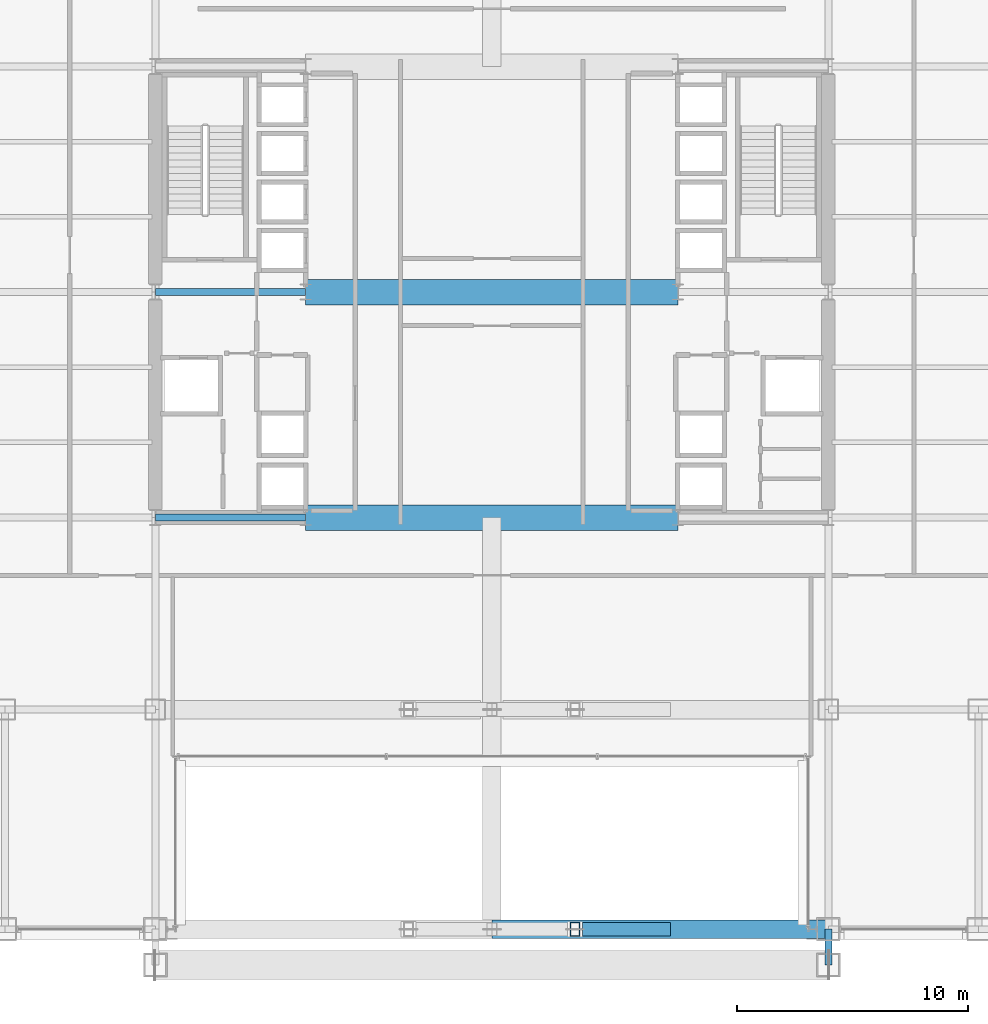
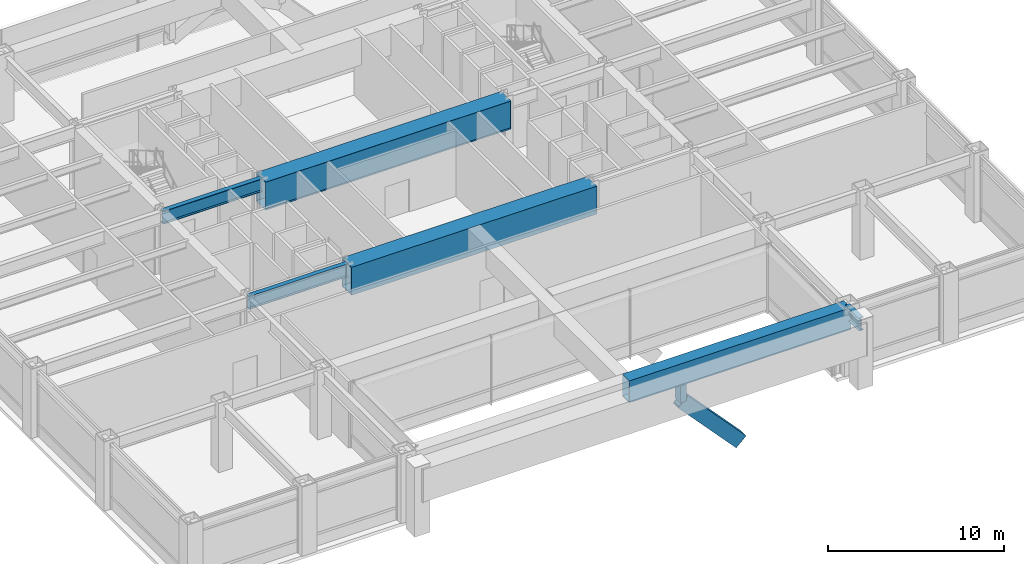
# One storey, part 7 of 37: 6 beams, 2 members.
"""IFC4 building model written with IfcOpenShell, lengths in metres."""

from ifc_helpers import new_model, si_unit, direction, frame, origin, origin_2d, place, context, subcontext, project, spatial, hollow_rectangle, i_section, extrude, material, material_profile, profile_set, type_object, element, save


model = new_model("IFC4")

# Units and contexts
model_context = context("Model", 3, precision=1e-05, world=origin(), true_north=direction((0.0, 1.0)))
body_context = subcontext(model_context, "Body", "Model", "MODEL_VIEW")
ifc_project = project(units=[si_unit("LENGTHUNIT", "METRE"), si_unit("AREAUNIT", "SQUARE_METRE"), si_unit("VOLUMEUNIT", "CUBIC_METRE"), si_unit("PLANEANGLEUNIT", "RADIAN"), si_unit("MASSUNIT", "GRAM", prefix="KILO")], contexts=[model_context])

# Site, building, storey
site_placement = place(None, origin())
site = spatial("IfcSite", under=ifc_project, at=site_placement, CompositionType="ELEMENT")
building_placement = place(site_placement, origin())
building = spatial("IfcBuilding", under=site, at=building_placement, Name="Brelmoor Portico Tower", CompositionType="ELEMENT")
storey_placement = place(building_placement, frame((0.0, 0.0, 14.39990234375)))
storey = spatial("IfcBuildingStorey", under=building, at=storey_placement, Name="L03", CompositionType="ELEMENT", Elevation=14.39990234375)

# Beams
ifc_material_1 = material(Name="Steel Q355B", Category="steel")
ifc_material_profile_1 = material_profile(ifc_material_1, i_section(OverallWidth=0.300048828125, OverallDepth=0.89990234375, WebThickness=0.01611328125, FlangeThickness=0.028076171875, at=origin_2d()), Name="HN 900x300x16x28")
ifc_profile_set_1 = profile_set([ifc_material_profile_1], Name="Steel Q355B")
beam_type_1 = type_object("IfcBeamType", Name="BM-PG-900", PredefinedType="BEAM", material=ifc_profile_set_1)
beam_1_placement = place(storey_placement, frame((14.550048828125, -29.10009765625, 4.130126953125), z_axis=(0.0, 1.0, 0.0), x_axis=(-1.0, 0.0, 0.0)))
element("IfcBeam", 1, at=beam_1_placement, inside=storey, type_object=beam_type_1, Name="L03 Primary Floor Girder PG-11", PredefinedType="BEAM", context=body_context, shape_type="SweptSolid", body=[
    extrude(i_section(OverallWidth=0.300048828125, OverallDepth=0.89990234375, WebThickness=0.01611328125, FlangeThickness=0.028076171875, at=origin_2d()), origin(), (0.0, 0.0, 1.0), 1.550048828125),
])
for number, where, z_axis, x_axis, name in (
    (2, (-14.550048828125, -9.75, 4.130126953125), (1.0, 0.0, 0.0), (0.0, 1.0, 0.0), "L03 Primary Floor Girder PG-26"),
    (3, (-14.550048828125, 0.0, 4.130126953125), (1.0, 0.0, 0.0), (0.0, 1.0, 0.0), "L03 Primary Floor Girder PG-31"),
):
    element("IfcBeam", number, at=place(storey_placement, frame(where, z_axis=z_axis, x_axis=x_axis)), inside=storey, type_object=beam_type_1, Name=name, PredefinedType="BEAM", context=body_context, shape_type="SweptSolid", body=[
        extrude(i_section(OverallWidth=0.300048828125, OverallDepth=0.89990234375, WebThickness=0.01611328125, FlangeThickness=0.028076171875, at=origin_2d()), origin(), (0.0, 0.0, 1.0), 6.5),
    ])
ifc_material_2 = material(Name="Steel Q420B", Category="steel")
ifc_material_profile_2 = material_profile(ifc_material_2, hollow_rectangle(XDim=1.10009765625, YDim=1.949951171875, WallThickness=0.054931640625, at=origin_2d()), Name="BOX 1100x1950x55")
ifc_profile_set_2 = profile_set([ifc_material_profile_2], Name="Steel Q420B")
beam_type_2 = type_object("IfcBeamType", Name="BM-TG-ARCH", PredefinedType="BEAM", material=ifc_profile_set_2)
for number, where, z_axis, x_axis, name in (
    (4, (-8.050048828125, -9.75, 3.60498046875), (1.0, 0.0, 0.0), (0.0, 1.0, 0.0), "L03 Portico Arch Core Transfer Box Girder TG-ARCH-C01"),
    (5, (-8.050048828125, 0.0, 3.60498046875), (1.0, 0.0, 0.0), (0.0, 1.0, 0.0), "L03 Portico Arch Core Transfer Box Girder TG-ARCH-C02"),
):
    element("IfcBeam", number, at=place(storey_placement, frame(where, z_axis=z_axis, x_axis=x_axis)), inside=storey, type_object=beam_type_2, Name=name, PredefinedType="BEAM", context=body_context, shape_type="SweptSolid", body=[
        extrude(hollow_rectangle(XDim=1.10009765625, YDim=1.949951171875, WallThickness=0.054931640625, at=origin_2d()), origin(), (0.0, 0.0, 1.0), 16.10009765625),
    ])
ifc_material_profile_3 = material_profile(ifc_material_2, hollow_rectangle(XDim=0.800048828125, YDim=1.52001953125, WallThickness=0.044921875, at=origin_2d()), Name="BOX 800x1520x45")
ifc_profile_set_3 = profile_set([ifc_material_profile_3], Name="Steel Q420B")
beam_type_3 = type_object("IfcBeamType", Name="BM-TG-TIE", PredefinedType="BEAM", material=ifc_profile_set_3)
beam_2_placement = place(storey_placement, frame((0.0, -27.550048828125, 3.820068359375), z_axis=(1.0, 0.0, 0.0), x_axis=(0.0, 1.0, 0.0)))
element("IfcBeam", 6, at=beam_2_placement, inside=storey, type_object=beam_type_3, Name="L03 Giant Arch Bridge Transfer Box Girder S1E", PredefinedType="BEAM", context=body_context, shape_type="SweptSolid", body=[
    extrude(hollow_rectangle(XDim=0.800048828125, YDim=1.52001953125, WallThickness=0.044921875, at=origin_2d()), origin(), (0.0, 0.0, 1.0), 14.550048828125),
])

# Members
ifc_material_profile_4 = material_profile(ifc_material_2, hollow_rectangle(XDim=0.60009765625, YDim=0.89990234375, WallThickness=0.035888671875, at=origin_2d()), Name="RHS 600x900x36")
ifc_profile_set_4 = profile_set([ifc_material_profile_4], Name="Steel Q420B")
member_type_1 = type_object("IfcMemberType", Name="MB-ARCH-RIB", PredefinedType="CHORD", material=ifc_profile_set_4)
member_1_placement = place(storey_placement, frame((3.60009765625, -27.550048828125, 1.800048828125), z_axis=(0.679758934969, 0.0, -0.733435607487), x_axis=(0.0, 1.0, 0.0)))
element("IfcMember", 7, at=member_1_placement, inside=storey, type_object=member_type_1, Name="Giant Portico Arch Rib S1-6", PredefinedType="CHORD", context=body_context, shape_type="SweptSolid", body=[
    extrude(hollow_rectangle(XDim=0.60009765625, YDim=0.89990234375, WallThickness=0.035888671875, at=origin_2d()), origin(), (0.0, 0.0, 1.0), 5.58984375),
])
ifc_material_profile_5 = material_profile(ifc_material_1, hollow_rectangle(XDim=0.39990234375, YDim=0.60009765625, WallThickness=0.02392578125, at=origin_2d()), Name="RHS 400x600x24")
ifc_profile_set_5 = profile_set([ifc_material_profile_5], Name="Steel Q355B")
member_type_2 = type_object("IfcMemberType", Name="MB-ARCH-STRUT", PredefinedType="BRACE", material=ifc_profile_set_5)
member_2_placement = place(storey_placement, frame((3.60009765625, -27.550048828125, 1.800048828125), z_axis=(0.0, 0.0, 1.0), x_axis=(1.0, 0.0, 0.0)))
element("IfcMember", 8, at=member_2_placement, inside=storey, type_object=member_type_2, Name="Portico Arch Spandrel Strut S1-4", PredefinedType="BRACE", context=body_context, shape_type="SweptSolid", body=[
    extrude(hollow_rectangle(XDim=0.39990234375, YDim=0.60009765625, WallThickness=0.02392578125, at=origin_2d()), origin(), (0.0, 0.0, 1.0), 1.955078125),
])

save(model, "model.ifc")
